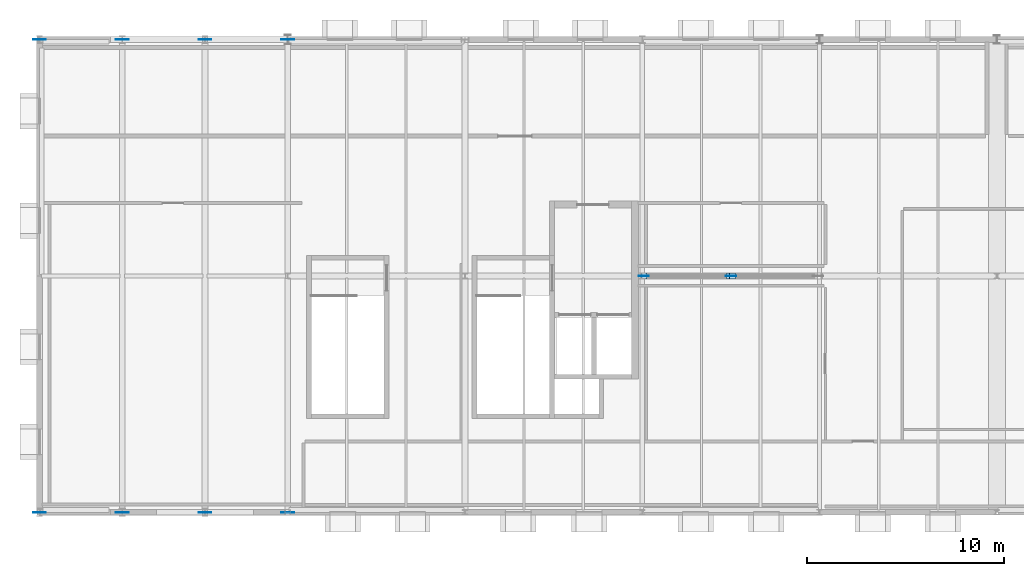
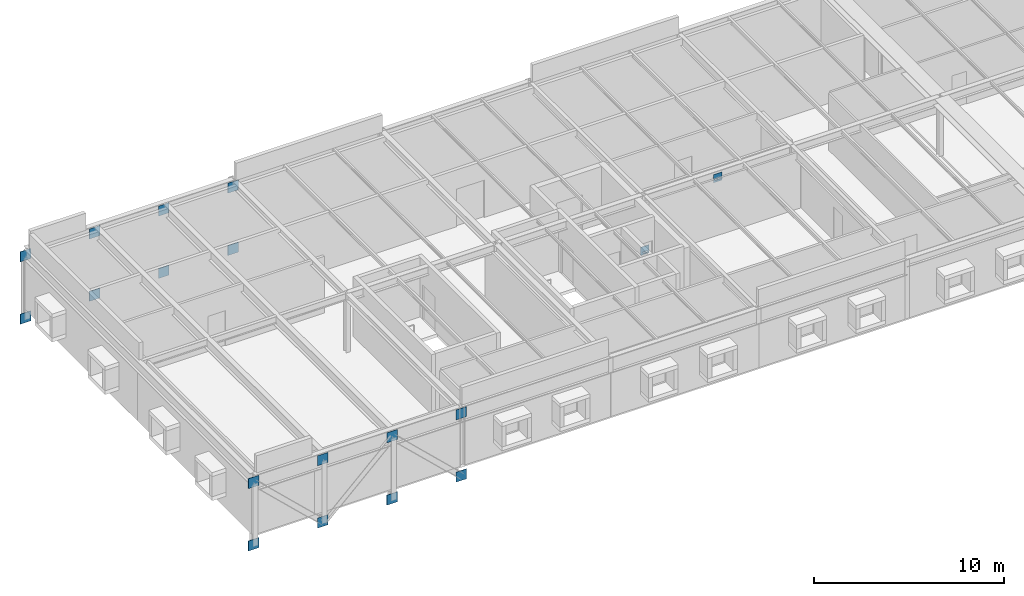
# One storey, part 8 of 16: 21 plates.
"""IFC4 building model written with IfcOpenShell, lengths in metres."""

from ifc_helpers import new_model, si_unit, direction, frame, origin, origin_2d, place, context, subcontext, project, spatial, rectangle, extrude, material, layer, layer_set, type_object, element, save


model = new_model("IFC4")

# Units and contexts
model_context = context("Model", 3, precision=1e-05, world=origin(), true_north=direction((0.0, 1.0)))
body_context = subcontext(model_context, "Body", "Model", "MODEL_VIEW")
ifc_project = project(units=[si_unit("LENGTHUNIT", "METRE"), si_unit("AREAUNIT", "SQUARE_METRE"), si_unit("VOLUMEUNIT", "CUBIC_METRE"), si_unit("PLANEANGLEUNIT", "RADIAN"), si_unit("MASSUNIT", "GRAM", prefix="KILO")], contexts=[model_context])

# Site, building, storey
site_placement = place(None, origin())
site = spatial("IfcSite", under=ifc_project, at=site_placement, CompositionType="ELEMENT")
building_placement = place(site_placement, origin())
building = spatial("IfcBuilding", under=site, at=building_placement, Name="Montelvaro Courts of Justice", CompositionType="ELEMENT")
storey_placement = place(building_placement, frame((0.0, 0.0, 35.39990234375)))
storey = spatial("IfcBuildingStorey", under=building, at=storey_placement, Name="L08", CompositionType="ELEMENT", Elevation=35.39990234375)

# Plates
ifc_material = material(Name="Steel S355", Category="steel")
ifc_layer_1 = layer(ifc_material, 0.011962890625)
ifc_layer_set_1 = layer_set([ifc_layer_1], Name="Steel S355")
plate_type_1 = type_object("IfcPlateType", Name="EndCapPlate_12", PredefinedType="USERDEFINED", material=ifc_layer_set_1)
for number, where, z_axis, x_axis, name in (
    (1, (63.080078125, 12.0, 0.07421875), (0.0, 0.0, 1.0), (1.0, 0.0, 0.0), "Brace End Cap Plate CP-01 CBF1-L08-1A"),
    (2, (67.419921875, 12.0, 3.23388671875), (0.0, 0.0, 1.0), (1.0, 0.0, 0.0), "Brace End Cap Plate CP-01 CBF1-L08-1B"),
    (3, (67.580078125, 12.0, 3.23388671875), (0.0, 0.0, 1.0), (1.0, 0.0, 0.0), "Brace End Cap Plate CP-01 CBF1-L08-2B"),
):
    element("IfcPlate", number, at=place(storey_placement, frame(where, z_axis=z_axis, x_axis=x_axis)), inside=storey, type_object=plate_type_1, Name=name, ObjectType="GUSSET PLATE", PredefinedType="USERDEFINED", context=body_context, shape_type="SweptSolid", body=[
        extrude(rectangle(XDim=0.300048828125, YDim=0.300048828125, at=origin_2d()), origin(), (0.0, 0.0, 1.0), 0.011962890625),
    ])
ifc_layer_2 = layer(ifc_material, 0.02001953125)
ifc_layer_set_2 = layer_set([ifc_layer_2], Name="Steel S355")
plate_type_2 = type_object("IfcPlateType", Name="GussetPlate_20", PredefinedType="USERDEFINED", material=ifc_layer_set_2)
for number, where, z_axis, x_axis, name in (
    (4, (63.080078125, 12.0, -0.099853515625), (0.0, 0.0, 1.0), (1.0, 0.0, 0.0), "Chevron Brace Base Gusset Plate GP-01 CBF1-L08-B1"),
    (5, (67.5, 12.0, 3.02001953125), (0.0, 0.0, 1.0), (1.0, 0.0, 0.0), "Chevron Brace Gusset Plate GP-01 CBF1-L08"),
):
    element("IfcPlate", number, at=place(storey_placement, frame(where, z_axis=z_axis, x_axis=x_axis)), inside=storey, type_object=plate_type_2, Name=name, ObjectType="GUSSET PLATE", PredefinedType="USERDEFINED", context=body_context, shape_type="SweptSolid", body=[
        extrude(rectangle(XDim=0.52001953125, YDim=0.02001953125, at=origin_2d()), origin(), (0.0, 0.0, 1.0), 0.52001953125),
    ])
ifc_layer_3 = layer(ifc_material, 0.028076171875)
ifc_layer_set_3 = layer_set([ifc_layer_3], Name="Steel S355")
plate_type_3 = type_object("IfcPlateType", Name="GussetPlate_28", PredefinedType="USERDEFINED", material=ifc_layer_set_3)
for number, where, z_axis, x_axis, name in (
    (6, (45.0, 0.0, -1.02392578125), (0.0, 0.0, 1.0), (1.0, 0.0, 0.0), "Pratt Truss Gusset Plate GP-02 CTR-BAR3-S-L08-0B"),
    (7, (45.0, 0.0, 2.97607421875), (0.0, 0.0, 1.0), (1.0, 0.0, 0.0), "Pratt Truss Gusset Plate GP-02 CTR-BAR3-S-L08-0T"),
    (8, (40.800048828125, 0.0, -1.02392578125), (0.0, 0.0, 1.0), (1.0, 0.0, 0.0), "Pratt Truss Gusset Plate GP-02 CTR-BAR3-S-L08-1B"),
    (9, (40.800048828125, 0.0, 2.97607421875), (0.0, 0.0, 1.0), (1.0, 0.0, 0.0), "Pratt Truss Gusset Plate GP-02 CTR-BAR3-S-L08-1T"),
    (10, (36.60009765625, 0.0, -1.02392578125), (0.0, 0.0, 1.0), (1.0, 0.0, 0.0), "Pratt Truss Gusset Plate GP-02 CTR-BAR3-S-L08-2B"),
    (11, (36.60009765625, 0.0, 2.97607421875), (0.0, 0.0, 1.0), (1.0, 0.0, 0.0), "Pratt Truss Gusset Plate GP-02 CTR-BAR3-S-L08-2T"),
    (12, (32.39990234375, 0.0, -1.02392578125), (0.0, 0.0, 1.0), (1.0, 0.0, 0.0), "Pratt Truss Gusset Plate GP-02 CTR-BAR3-S-L08-3B"),
    (13, (32.39990234375, 0.0, 2.97607421875), (0.0, 0.0, 1.0), (1.0, 0.0, 0.0), "Pratt Truss Gusset Plate GP-02 CTR-BAR3-S-L08-3T"),
    (14, (45.0, 24.0, -1.02392578125), (0.0, 0.0, 1.0), (1.0, 0.0, 0.0), "Pratt Truss Gusset Plate GP-02 CTR-BAR3-N-L08-0B"),
    (15, (45.0, 24.0, 2.97607421875), (0.0, 0.0, 1.0), (1.0, 0.0, 0.0), "Pratt Truss Gusset Plate GP-02 CTR-BAR3-N-L08-0T"),
    (16, (40.800048828125, 24.0, -1.02392578125), (0.0, 0.0, 1.0), (1.0, 0.0, 0.0), "Pratt Truss Gusset Plate GP-02 CTR-BAR3-N-L08-1B"),
    (17, (40.800048828125, 24.0, 2.97607421875), (0.0, 0.0, 1.0), (1.0, 0.0, 0.0), "Pratt Truss Gusset Plate GP-02 CTR-BAR3-N-L08-1T"),
    (18, (36.60009765625, 24.0, -1.02392578125), (0.0, 0.0, 1.0), (1.0, 0.0, 0.0), "Pratt Truss Gusset Plate GP-02 CTR-BAR3-N-L08-2B"),
    (19, (36.60009765625, 24.0, 2.97607421875), (0.0, 0.0, 1.0), (1.0, 0.0, 0.0), "Pratt Truss Gusset Plate GP-02 CTR-BAR3-N-L08-2T"),
    (20, (32.39990234375, 24.0, -1.02392578125), (0.0, 0.0, 1.0), (1.0, 0.0, 0.0), "Pratt Truss Gusset Plate GP-02 CTR-BAR3-N-L08-3B"),
    (21, (32.39990234375, 24.0, 2.97607421875), (0.0, 0.0, 1.0), (1.0, 0.0, 0.0), "Pratt Truss Gusset Plate GP-02 CTR-BAR3-N-L08-3T"),
):
    element("IfcPlate", number, at=place(storey_placement, frame(where, z_axis=z_axis, x_axis=x_axis)), inside=storey, type_object=plate_type_3, Name=name, ObjectType="GUSSET PLATE", PredefinedType="USERDEFINED", context=body_context, shape_type="SweptSolid", body=[
        extrude(rectangle(XDim=0.639892578125, YDim=0.028076171875, at=origin_2d()), origin(), (0.0, 0.0, 1.0), 0.639892578125),
    ])

save(model, "model.ifc")
